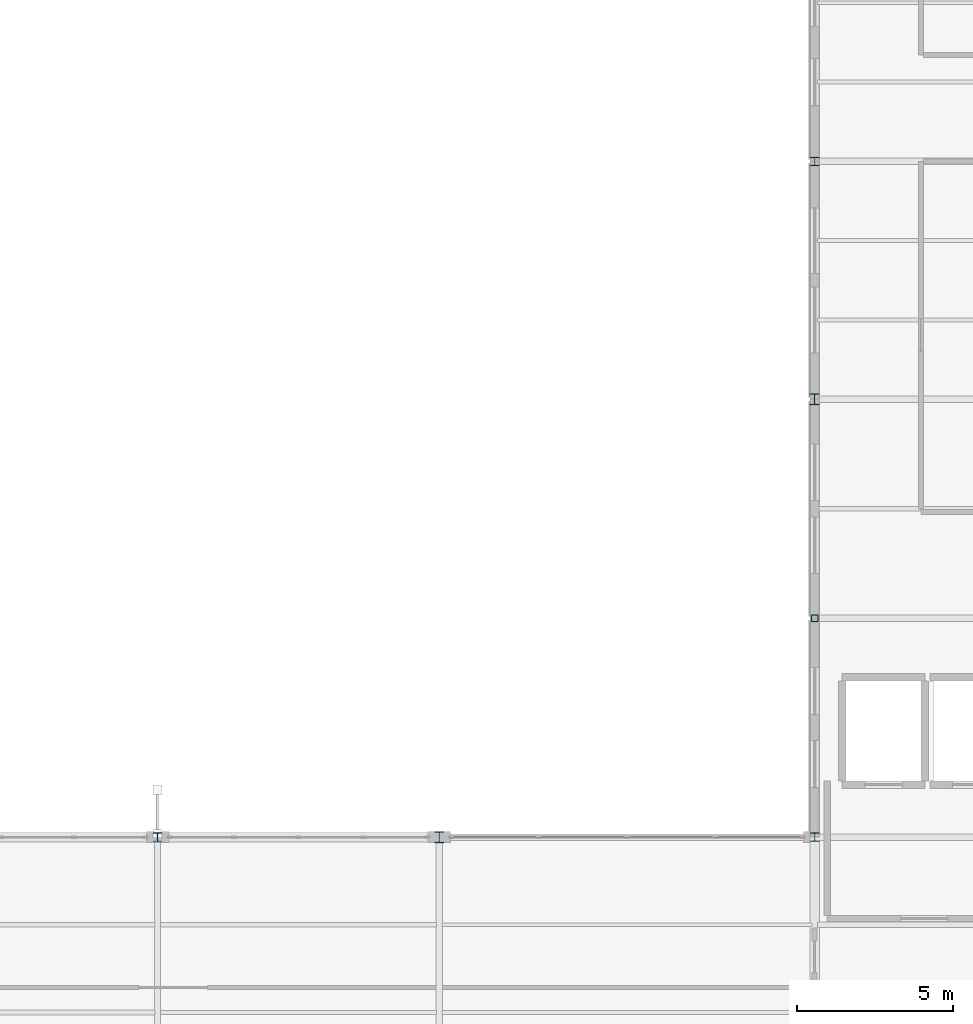
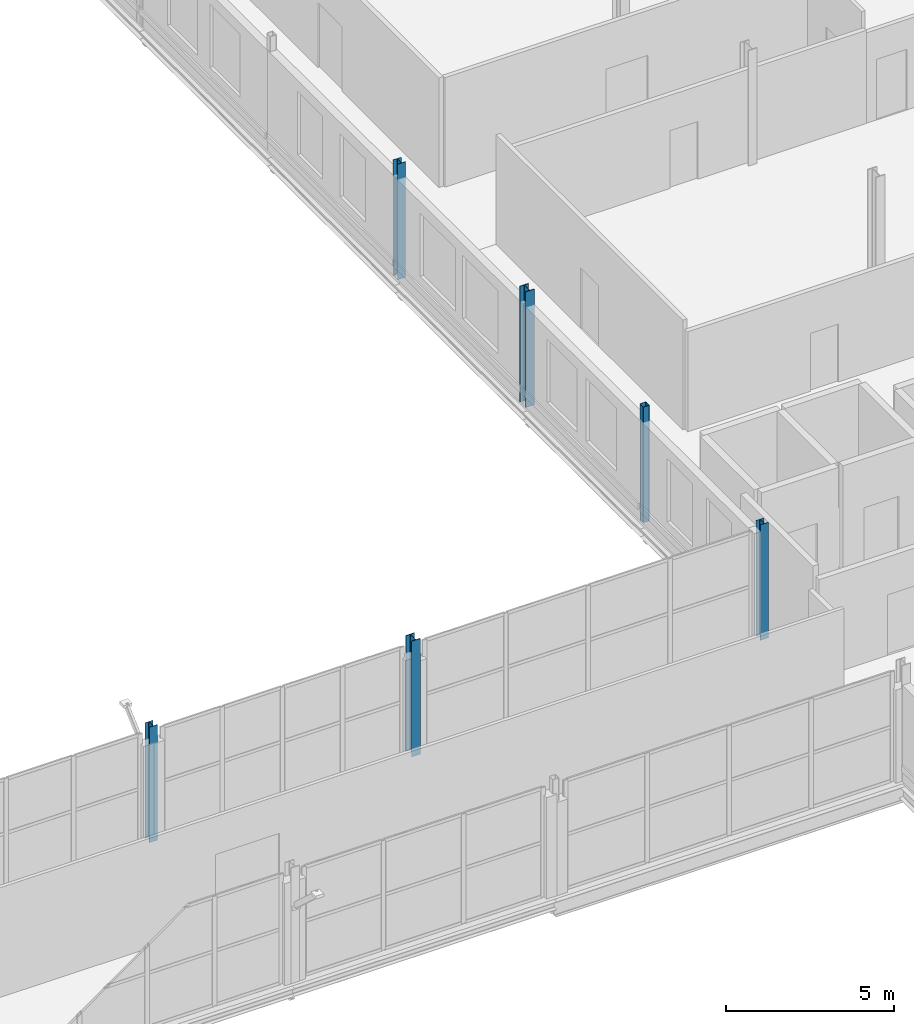
# One storey, part 13 of 101: 6 columns.
"""IFC4 building model written with IfcOpenShell, lengths in metres."""

from ifc_helpers import new_model, si_unit, direction, frame, origin, origin_2d, place, context, subcontext, project, spatial, hollow_rectangle, i_section, extrude, material, material_profile, profile_set, type_object, element, save


model = new_model("IFC4")

# Units and contexts
model_context = context("Model", 3, precision=1e-05, world=origin(), true_north=direction((0.0, 1.0)))
body_context = subcontext(model_context, "Body", "Model", "MODEL_VIEW")
ifc_project = project(units=[si_unit("LENGTHUNIT", "METRE"), si_unit("AREAUNIT", "SQUARE_METRE"), si_unit("VOLUMEUNIT", "CUBIC_METRE"), si_unit("PLANEANGLEUNIT", "RADIAN"), si_unit("MASSUNIT", "GRAM", prefix="KILO")], contexts=[model_context])

# Site, building, storey
site_placement = place(None, origin())
site = spatial("IfcSite", under=ifc_project, at=site_placement, CompositionType="ELEMENT")
building_placement = place(site_placement, origin())
building = spatial("IfcBuilding", under=site, at=building_placement, Name="Vekula Escarpment Museum", CompositionType="ELEMENT")
storey_placement = place(building_placement, frame((0.0, 0.0, 18.0)))
storey = spatial("IfcBuildingStorey", under=building, at=storey_placement, Name="L04", CompositionType="ELEMENT", Elevation=18.0)

# Columns
ifc_material_1 = material(Name="Steel S355", Category="steel")
ifc_material_profile_1 = material_profile(ifc_material_1, i_section(OverallWidth=0.280029296875, OverallDepth=0.27001953125, WebThickness=0.008056640625, FlangeThickness=0.012939453125, FilletRadius=0.02392578125, at=origin_2d()), Name="HEA 280")
ifc_profile_set_1 = profile_set([ifc_material_profile_1], Name="Steel S355")
column_type_1 = type_object("IfcColumnType", Name="COL-S-HEA280", PredefinedType="COLUMN", material=ifc_profile_set_1)
for number, where, z_axis, x_axis, name in (
    (1, (146.0, 76.39990234375, 0.0), (0.0, 0.0, 1.0), (1.0, 0.0, 0.0), "Column L04 (146.0,76.4)"),
    (2, (167.0, 76.39990234375, 0.0), (0.0, 0.0, 1.0), (1.0, 0.0, 0.0), "Column L04 (167.0,76.4)"),
    (3, (167.0, 98.0, 0.0), (0.0, 0.0, 1.0), (1.0, 0.0, 0.0), "Column L04 (167.0,98.0)"),
):
    element("IfcColumn", number, at=place(storey_placement, frame(where, z_axis=z_axis, x_axis=x_axis)), inside=storey, type_object=column_type_1, Name=name, PredefinedType="COLUMN", context=body_context, shape_type="SweptSolid", body=[
        extrude(i_section(OverallWidth=0.280029296875, OverallDepth=0.27001953125, WebThickness=0.008056640625, FlangeThickness=0.012939453125, FilletRadius=0.02392578125, at=origin_2d()), origin(), (0.0, 0.0, 1.0), 4.199951171875),
    ])
ifc_material_2 = material(Name="Steel S355", Category="steel")
ifc_material_profile_2 = material_profile(ifc_material_2, i_section(OverallWidth=0.300048828125, OverallDepth=0.360107421875, WebThickness=0.012451171875, FlangeThickness=0.0224609375, FilletRadius=0.027099609375, at=origin_2d()), Name="HEB 360")
ifc_profile_set_2 = profile_set([ifc_material_profile_2], Name="Steel S355")
column_type_2 = type_object("IfcColumnType", Name="COL-S-HEB360", PredefinedType="COLUMN", material=ifc_profile_set_2)
for number, where, z_axis, x_axis, name in (
    (4, (155.0, 76.39990234375, 0.0), (0.0, 0.0, 1.0), (1.0, 0.0, 0.0), "Column L04 (155.0,76.4)"),
    (5, (167.0, 90.39990234375, 0.0), (0.0, 0.0, 1.0), (1.0, 0.0, 0.0), "Column L04 (167.0,90.4)"),
):
    element("IfcColumn", number, at=place(storey_placement, frame(where, z_axis=z_axis, x_axis=x_axis)), inside=storey, type_object=column_type_2, Name=name, PredefinedType="COLUMN", context=body_context, shape_type="SweptSolid", body=[
        extrude(i_section(OverallWidth=0.300048828125, OverallDepth=0.360107421875, WebThickness=0.012451171875, FlangeThickness=0.0224609375, FilletRadius=0.027099609375, at=origin_2d()), origin(), (0.0, 0.0, 1.0), 4.199951171875),
    ])
ifc_material_3 = material(Name="Steel S355", Category="steel")
ifc_material_profile_3 = material_profile(ifc_material_3, hollow_rectangle(XDim=0.219970703125, YDim=0.219970703125, WallThickness=0.011962890625, InnerFilletRadius=0.011962890625, OuterFilletRadius=0.02392578125, at=origin_2d()), Name="SHS 220x220x12")
ifc_profile_set_3 = profile_set([ifc_material_profile_3], Name="Steel S355")
column_type_3 = type_object("IfcColumnType", Name="COL-S-SHS220", PredefinedType="COLUMN", material=ifc_profile_set_3)
column_placement = place(storey_placement, frame((167.0, 83.39990234375, 0.0), z_axis=(0.0, 0.0, 1.0), x_axis=(1.0, 0.0, 0.0)))
element("IfcColumn", 6, at=column_placement, inside=storey, type_object=column_type_3, Name="Column L04 (167.0,83.4)", PredefinedType="COLUMN", context=body_context, shape_type="SweptSolid", body=[
    extrude(hollow_rectangle(XDim=0.219970703125, YDim=0.219970703125, WallThickness=0.011962890625, InnerFilletRadius=0.011962890625, OuterFilletRadius=0.02392578125, at=origin_2d()), origin(), (0.0, 0.0, 1.0), 4.199951171875),
])

save(model, "model.ifc")
